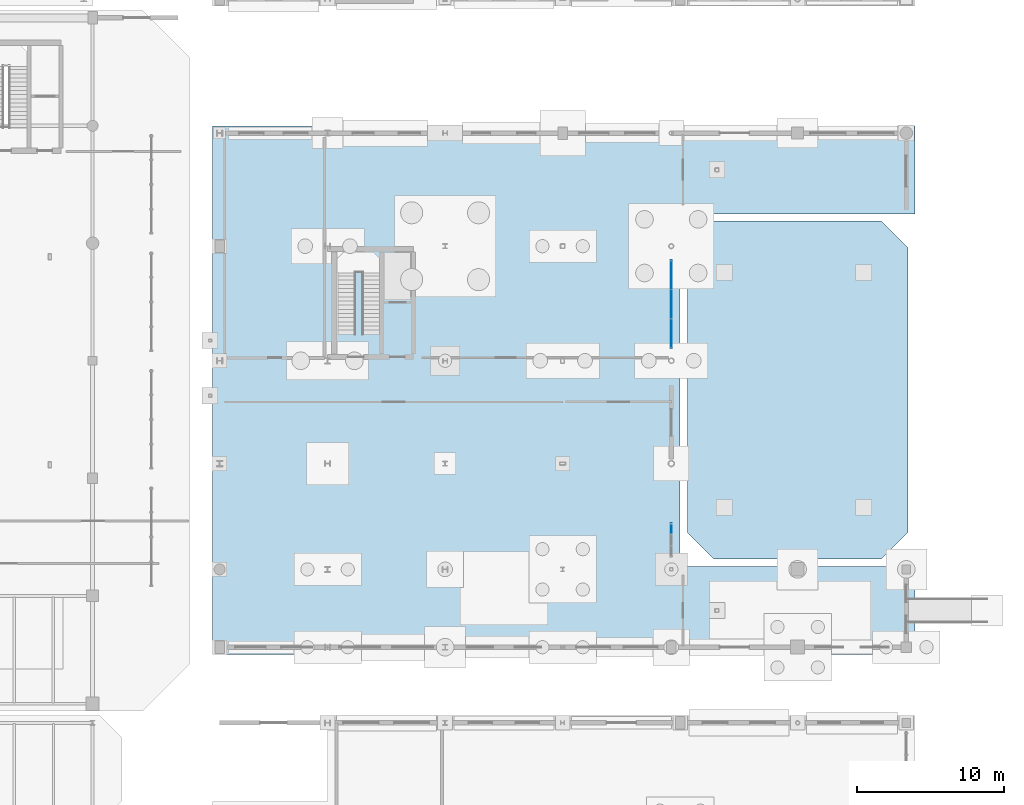
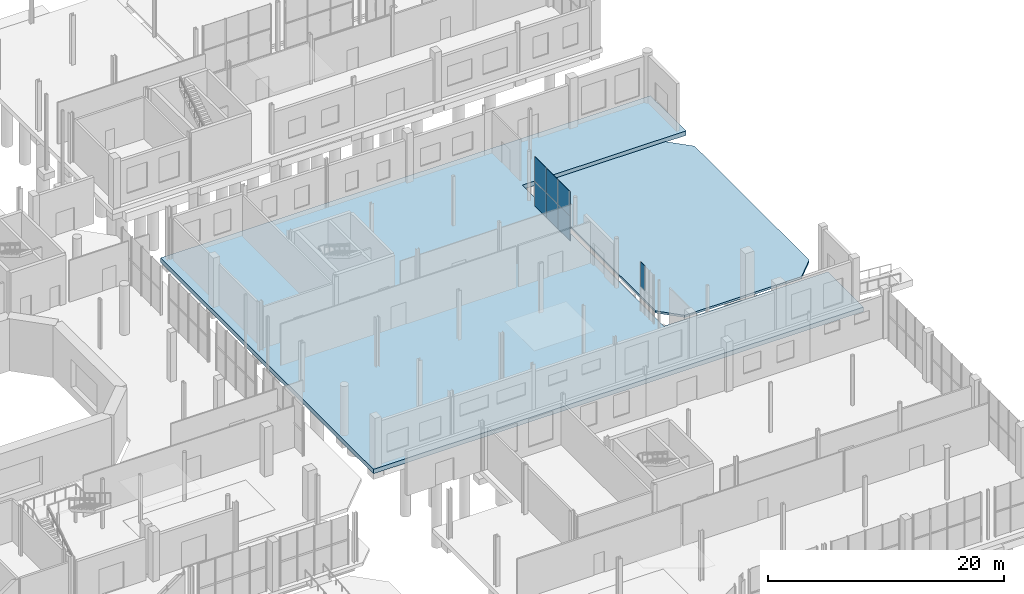
# One storey, part 63 of 87: 7 plates, 2 slabs, 2 elements without a shape of their own.
"""IFC4 building model written with IfcOpenShell, lengths in metres."""

from ifc_helpers import new_model, si_unit, direction, frame, origin, origin_2d, place, context, subcontext, project, spatial, polyline, rectangle, outline, extrude, material, layer, layer_set, type_object, element, aggregate, save


model = new_model("IFC4")

# Units and contexts
model_context = context("Model", 3, precision=1e-05, world=origin(), true_north=direction((0.0, 1.0)))
body_context = subcontext(model_context, "Body", "Model", "MODEL_VIEW")
ifc_project = project(units=[si_unit("LENGTHUNIT", "METRE"), si_unit("AREAUNIT", "SQUARE_METRE"), si_unit("VOLUMEUNIT", "CUBIC_METRE"), si_unit("PLANEANGLEUNIT", "RADIAN"), si_unit("MASSUNIT", "GRAM", prefix="KILO")], contexts=[model_context])

# Site, building, storey
site_placement = place(None, origin())
site = spatial("IfcSite", under=ifc_project, at=site_placement, CompositionType="ELEMENT")
building_placement = place(site_placement, origin())
building = spatial("IfcBuilding", under=site, at=building_placement, Name="Brisemont Oceanarium", CompositionType="ELEMENT")
storey_placement = place(building_placement, origin())
storey = spatial("IfcBuildingStorey", under=building, at=storey_placement, Name="L00", CompositionType="ELEMENT", Elevation=0.0)

# Curtain wall, plate
ifc_material_1 = material(Name="Anodized Extruded Aluminum 6063-T6", Category="aluminium")
curtain_wall_type = type_object("IfcCurtainWallType", Name="CW-GAL-61X43", PredefinedType="NOTDEFINED", material=ifc_material_1)
curtain_wall_1_placement = place(storey_placement, origin())
curtain_wall_1 = element("IfcCurtainWall", 1, at=curtain_wall_1_placement, inside=storey, type_object=curtain_wall_type, Name="CW-13 curtain wall CW-V5E-MC-L00-01", PredefinedType="NOTDEFINED")
ifc_material_2 = material(Name="Ceramic-Fritted Spandrel Glass", Category="glass")
ifc_layer_1 = layer(ifc_material_2, 0.030029296875)
ifc_layer_set_1 = layer_set([ifc_layer_1], Name="Ceramic-Fritted Spandrel Glass")
plate_type = type_object("IfcPlateType", Name="PLT-CWP-S3", PredefinedType="CURTAIN_PANEL", material=ifc_layer_set_1)
plate_1_placement = place(storey_placement, frame((143.39990234375, 44.566650390625, 2.55126953125), z_axis=(0.0, 0.0, 1.0), x_axis=(0.0, 1.0, 0.0)))
plate_1 = element("IfcPlate", 2, at=plate_1_placement, type_object=plate_type, Name="CW-V5E-MC-L00-01 panel 3.2", PredefinedType="CURTAIN_PANEL", context=body_context, shape_type="SweptSolid", body=[
    extrude(rectangle(XDim=0.763671875, YDim=0.030029296875, at=origin_2d()), origin(), (0.0, 0.0, 1.0), 2.547119140625),
])
aggregate(curtain_wall_1, [plate_1])

# Curtain wall, plates
curtain_wall_2_placement = place(storey_placement, origin())
curtain_wall_2 = element("IfcCurtainWall", 3, at=curtain_wall_2_placement, inside=storey, type_object=curtain_wall_type, Name="CW-13 curtain wall CW-V5E-MCB-L00-01", PredefinedType="NOTDEFINED")
plate_2_placement = place(storey_placement, frame((143.39990234375, 57.85009765625, 0.00146484375), z_axis=(0.0, 0.0, 1.0), x_axis=(0.0, 1.0, 0.0)))
plate_2 = element("IfcPlate", 4, at=plate_2_placement, type_object=plate_type, Name="CW-V5E-MCB-L00-01 panel 1.1", PredefinedType="CURTAIN_PANEL", context=body_context, shape_type="SweptSolid", body=[
    extrude(rectangle(XDim=1.9970703125, YDim=0.030029296875, at=origin_2d()), origin(), (0.0, 0.0, 1.0), 2.547119140625),
])
plate_3_placement = place(storey_placement, frame((143.39990234375, 57.85009765625, 2.55126953125), z_axis=(0.0, 0.0, 1.0), x_axis=(0.0, 1.0, 0.0)))
plate_3 = element("IfcPlate", 5, at=plate_3_placement, type_object=plate_type, Name="CW-V5E-MCB-L00-01 panel 1.2", PredefinedType="CURTAIN_PANEL", context=body_context, shape_type="SweptSolid", body=[
    extrude(rectangle(XDim=1.9970703125, YDim=0.030029296875, at=origin_2d()), origin(), (0.0, 0.0, 1.0), 2.547119140625),
])
plate_4_placement = place(storey_placement, frame((143.39990234375, 59.85009765625, 0.00146484375), z_axis=(0.0, 0.0, 1.0), x_axis=(0.0, 1.0, 0.0)))
plate_4 = element("IfcPlate", 6, at=plate_4_placement, type_object=plate_type, Name="CW-V5E-MCB-L00-01 panel 2.1", PredefinedType="CURTAIN_PANEL", context=body_context, shape_type="SweptSolid", body=[
    extrude(rectangle(XDim=1.9970703125, YDim=0.030029296875, at=origin_2d()), origin(), (0.0, 0.0, 1.0), 2.547119140625),
])
plate_5_placement = place(storey_placement, frame((143.39990234375, 59.85009765625, 2.55126953125), z_axis=(0.0, 0.0, 1.0), x_axis=(0.0, 1.0, 0.0)))
plate_5 = element("IfcPlate", 7, at=plate_5_placement, type_object=plate_type, Name="CW-V5E-MCB-L00-01 panel 2.2", PredefinedType="CURTAIN_PANEL", context=body_context, shape_type="SweptSolid", body=[
    extrude(rectangle(XDim=1.9970703125, YDim=0.030029296875, at=origin_2d()), origin(), (0.0, 0.0, 1.0), 2.547119140625),
])
plate_6_placement = place(storey_placement, frame((143.39990234375, 61.85009765625, 0.00146484375), z_axis=(0.0, 0.0, 1.0), x_axis=(0.0, 1.0, 0.0)))
plate_6 = element("IfcPlate", 8, at=plate_6_placement, type_object=plate_type, Name="CW-V5E-MCB-L00-01 panel 3.1", PredefinedType="CURTAIN_PANEL", context=body_context, shape_type="SweptSolid", body=[
    extrude(rectangle(XDim=1.9970703125, YDim=0.030029296875, at=origin_2d()), origin(), (0.0, 0.0, 1.0), 2.547119140625),
])
plate_7_placement = place(storey_placement, frame((143.39990234375, 61.85009765625, 2.55126953125), z_axis=(0.0, 0.0, 1.0), x_axis=(0.0, 1.0, 0.0)))
plate_7 = element("IfcPlate", 9, at=plate_7_placement, type_object=plate_type, Name="CW-V5E-MCB-L00-01 panel 3.2", PredefinedType="CURTAIN_PANEL", context=body_context, shape_type="SweptSolid", body=[
    extrude(rectangle(XDim=1.9970703125, YDim=0.030029296875, at=origin_2d()), origin(), (0.0, 0.0, 1.0), 2.547119140625),
])
aggregate(curtain_wall_2, [plate_2, plate_3, plate_4, plate_5, plate_6, plate_7])

# Slabs
ifc_material_3 = material(Name="Concrete C40/50", Category="concrete")
ifc_layer_2 = layer(ifc_material_3, 0.4599609375)
ifc_layer_set_2 = layer_set([ifc_layer_2], Name="Concrete C40/50")
slab_type_1 = type_object("IfcSlabType", Name="SLB-BASE-460", PredefinedType="BASESLAB", material=ifc_layer_set_2)
slab_1_placement = place(storey_placement, frame((0.0, 0.0, -0.4599609375)))
element("IfcSlab", 10, at=slab_1_placement, inside=storey, type_object=slab_type_1, Name="V5E L00 baseslab slab", PredefinedType="BASESLAB", context=body_context, shape_type="SweptSolid", body=[
    extrude(outline(polyline([(112.14990234375, 36.0), (160.0, 36.0), (160.0, 42.0), (144.0, 42.0), (144.0, 66.0), (160.0, 66.0), (160.0, 72.0), (112.14990234375, 72.0), (112.14990234375, 36.0)])), origin(), (0.0, 0.0, 1.0), 0.4599609375),
])
ifc_material_4 = material(Name="Concrete C40/50", Category="concrete")
ifc_layer_3 = layer(ifc_material_4, 0.219970703125)
ifc_layer_set_3 = layer_set([ifc_layer_3], Name="Concrete C40/50")
slab_type_2 = type_object("IfcSlabType", Name="SLB-TER-220", PredefinedType="FLOOR", material=ifc_layer_set_3)
slab_2_placement = place(storey_placement, frame((0.0, 0.0, -0.219970703125)))
element("IfcSlab", 11, at=slab_2_placement, inside=storey, type_object=slab_type_2, Name="V5E L00 terrace slab", PredefinedType="FLOOR", context=body_context, shape_type="SweptSolid", body=[
    extrude(outline(polyline([(146.300048828125, 42.5), (157.699951171875, 42.5), (159.5, 44.300048828125), (159.5, 63.699951171875), (157.699951171875, 65.5), (146.300048828125, 65.5), (144.5, 63.699951171875), (144.5, 44.300048828125), (146.300048828125, 42.5)])), origin(), (0.0, 0.0, 1.0), 0.219970703125),
])

save(model, "model.ifc")
